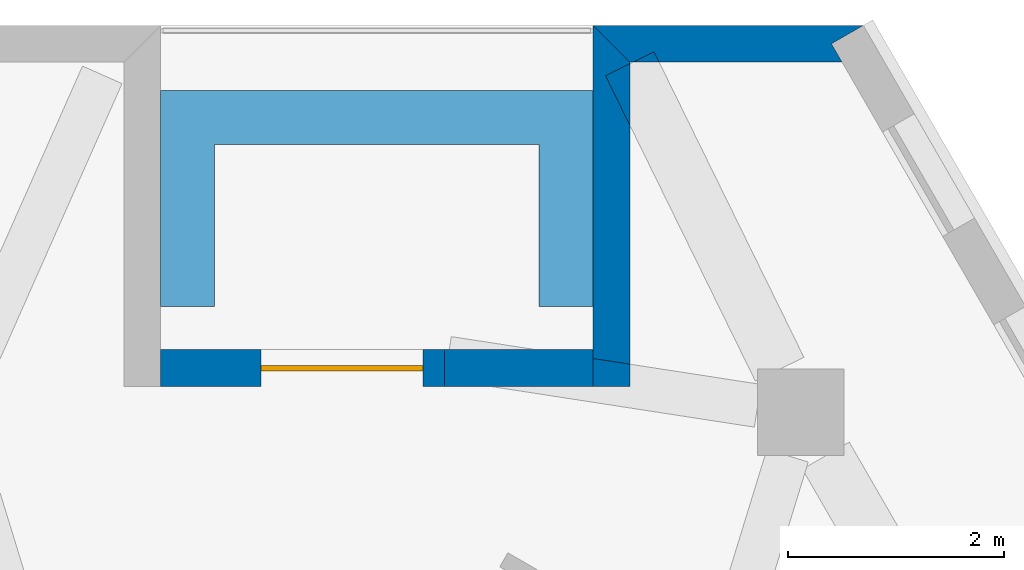
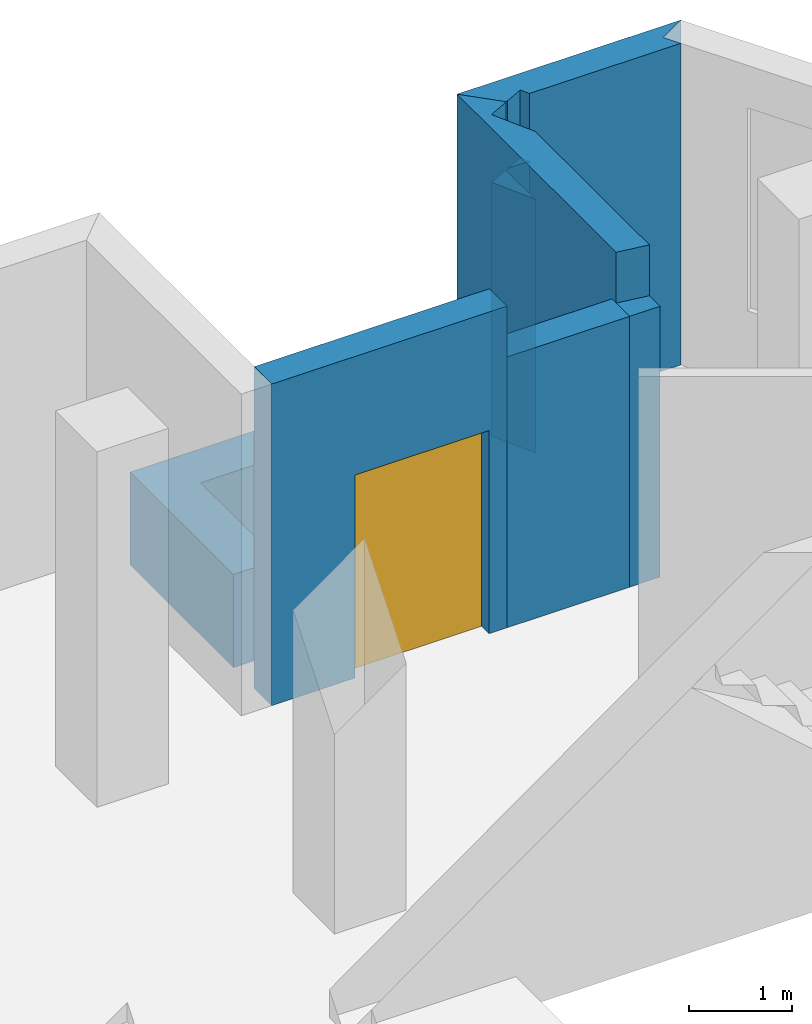
# One storey, part 7 of 9: 8 walls, 1 door, 1 opening.
"""IFC4 building model written with IfcOpenShell, lengths in metres."""

from ifc_helpers import new_model, si_unit, direction, frame, frame_2d, origin, place, context, subcontext, project, spatial, polyline, rectangle, outline, extrude, material, layer, layer_set, type_object, element, fill, save


model = new_model("IFC4")

# Units and contexts
model_context = context("Model", 3, precision=1e-05, world=origin(), true_north=direction((0.0, 1.0)))
body_context = subcontext(model_context, "Body", "Model", "MODEL_VIEW")
ifc_project = project(units=[si_unit("LENGTHUNIT", "METRE"), si_unit("AREAUNIT", "SQUARE_METRE"), si_unit("VOLUMEUNIT", "CUBIC_METRE"), si_unit("PLANEANGLEUNIT", "RADIAN"), si_unit("MASSUNIT", "GRAM", prefix="KILO")], contexts=[model_context])

# Site, building, storey
site_placement = place(None, origin())
site = spatial("IfcSite", under=ifc_project, at=site_placement, CompositionType="ELEMENT")
building_placement = place(site_placement, origin())
building = spatial("IfcBuilding", under=site, at=building_placement, Name="Fogline Exchange Tower", CompositionType="ELEMENT")
storey_placement = place(building_placement, frame((0.0, 0.0, 283.5)))
storey = spatial("IfcBuildingStorey", under=building, at=storey_placement, Name="L64", CompositionType="ELEMENT", Elevation=283.5)

# Walls
ifc_material_1 = material(Name="Brick masonry", Category="masonry")
ifc_layer_1 = layer(ifc_material_1, 0.340087890625)
ifc_layer_set_1 = layer_set([ifc_layer_1], Name="FW1")
wall_type_1 = type_object("IfcWallType", Name="FW1", PredefinedType="SOLIDWALL", material=ifc_layer_set_1)
wall_1_placement = place(storey_placement, origin())
element("IfcWall", 1, at=wall_1_placement, inside=storey, type_object=wall_type_1, Name="Brick wall L64 N-c1", PredefinedType="SOLIDWALL", context=body_context, shape_type="SweptSolid", body=[
    extrude(outline(polyline([(2.368408203125, 43.696044921875), (2.564453125, 43.792236328125), (2.611572265625, 43.696044921875), (2.368408203125, 43.696044921875)])), origin(), (0.0, 0.0, 1.0), 3.0),
])
wall_2_placement = place(storey_placement, origin())
element("IfcWall", 2, at=wall_2_placement, inside=storey, type_object=wall_type_1, Name="Brick wall L64 N-c1", PredefinedType="SOLIDWALL", context=body_context, shape_type="SweptSolid", body=[
    extrude(outline(polyline([(4.5009765625, 44.037353515625), (4.501220703125, 44.03662109375), (4.206298828125, 43.866455078125), (4.3046875, 43.696044921875), (2.611572265625, 43.696044921875), (2.564453125, 43.792236328125), (2.368408203125, 43.696044921875), (2.33984375, 43.696044921875), (1.998779296875, 44.036865234375), (1.9990234375, 44.037353515625), (4.5009765625, 44.037353515625)])), origin(), (0.0, 0.0, 1.0), 3.800048828125),
])
wall_3_placement = place(storey_placement, origin())
element("IfcWall", 3, at=wall_3_placement, inside=storey, type_object=wall_type_1, Name="Brick wall L64 N-s1", PredefinedType="SOLIDWALL", context=body_context, shape_type="SweptSolid", body=[
    extrude(outline(polyline([(2.340576171875, 43.11328125), (2.115478515625, 43.572021484375), (2.340576171875, 43.682373046875), (2.340576171875, 43.11328125)])), origin(), (0.0, 0.0, 1.0), 3.0),
])
wall_4_placement = place(storey_placement, origin())
element("IfcWall", 4, at=wall_4_placement, inside=storey, type_object=wall_type_1, Name="Brick wall L64 N-s1", PredefinedType="SOLIDWALL", context=body_context, shape_type="SweptSolid", body=[
    extrude(outline(polyline([(1.99951171875, 40.955810546875), (2.340576171875, 40.9033203125), (2.340576171875, 40.696044921875), (1.99951171875, 40.696044921875), (1.99951171875, 40.955810546875)])), origin(), (0.0, 0.0, 1.0), 3.199951171875),
])
wall_5_placement = place(storey_placement, origin())
element("IfcWall", 5, at=wall_5_placement, inside=storey, type_object=wall_type_1, Name="Brick wall L64 N-s1", PredefinedType="SOLIDWALL", context=body_context, shape_type="SweptSolid", body=[
    extrude(outline(polyline([(1.99951171875, 44.03759765625), (1.999755859375, 44.037841796875), (2.340576171875, 43.697021484375), (2.340576171875, 43.682373046875), (2.115478515625, 43.572021484375), (2.340576171875, 43.11328125), (2.340576171875, 40.9033203125), (1.99951171875, 40.955810546875), (1.99951171875, 44.03759765625)])), origin(), (0.0, 0.0, 1.0), 3.800048828125),
])
wall_6_placement = place(storey_placement, frame((2.0, 40.86669921875, 0.0), z_axis=(0.0, 0.0, 1.0), x_axis=(-1.0, 0.0, 0.0)))
element("IfcWall", 6, at=wall_6_placement, inside=storey, type_object=wall_type_1, Name="Brick wall L64 N-bk", PredefinedType="SOLIDWALL", context=body_context, shape_type="SweptSolid", body=[
    extrude(rectangle(XDim=1.371826171875, YDim=0.340087890625, at=frame_2d((0.68603515625, 0.0))), origin(), (0.0, 0.0, 1.0), 3.199951171875),
])

# Wall, opening, door
wall_7_placement = place(storey_placement, frame((0.628173828125, 40.86669921875, 0.0), z_axis=(0.0, 0.0, 1.0), x_axis=(-1.0, 0.0, 0.0)))
wall_7 = element("IfcWall", 7, at=wall_7_placement, inside=storey, type_object=wall_type_1, Name="Brick wall L64 N-bk", PredefinedType="SOLIDWALL", context=body_context, shape_type="SweptSolid", body=[
    extrude(rectangle(XDim=2.628173828125, YDim=0.340087890625, at=frame_2d((1.31396484375, 0.0))), origin(), (0.0, 0.0, 1.0), 3.800048828125),
])
opening_placement = place(wall_7_placement, frame((0.199951171875, 0.0, 0.0)))
opening = element("IfcOpeningElement", 8, at=opening_placement, cuts=wall_7, Name="Opening T20-E141", PredefinedType="OPENING", context=body_context, shape_type="SweptSolid", body=[
    extrude(rectangle(XDim=1.5, YDim=2.39990234375, at=frame_2d((0.75, 1.199951171875))), frame((0.0, 0.18017578125, 0.0), z_axis=(0.0, -1.0, 0.0), x_axis=(1.0, 0.0, 0.0)), (0.0, 0.0, 1.0), 0.360107421875),
])
ifc_material_2 = material(Name="Aluminium and glass", Category="aluminium")
door_type = type_object("IfcDoorType", Name="ED4", OperationType="SINGLE_SWING_LEFT", PredefinedType="DOOR", material=ifc_material_2)
door_placement = place(opening_placement, frame((1.5, 0.0, 0.0), z_axis=(0.0, 0.0, 1.0), x_axis=(-1.0, 0.0, 0.0)))
door = element("IfcDoor", 9, at=door_placement, inside=storey, type_object=door_type, Name="Balcony door L64 N", OperationType="DOUBLE_DOOR_SINGLE_SWING", OverallHeight=2.39990234375, OverallWidth=1.5, PredefinedType="DOOR", context=body_context, shape_type="SweptSolid", body=[
    extrude(rectangle(XDim=1.5, YDim=2.39990234375, at=frame_2d((0.75, 1.199951171875))), frame((0.0, 0.02490234375, 0.0), z_axis=(0.0, -1.0, 0.0), x_axis=(1.0, 0.0, 0.0)), (0.0, 0.0, 1.0), 0.050048828125),
])
fill(opening, door)

# Wall
ifc_material_3 = material(Name="Concrete C30", Category="concrete")
ifc_layer_2 = layer(ifc_material_3, 0.199951171875)
ifc_layer_set_2 = layer_set([ifc_layer_2], Name="PL1")
wall_type_2 = type_object("IfcWallType", Name="PL1", PredefinedType="USERDEFINED", material=ifc_layer_set_2)
wall_8_placement = place(storey_placement, origin())
element("IfcWall", 10, at=wall_8_placement, inside=storey, type_object=wall_type_2, Name="PLANTER balcony L64 N", ObjectType="PLANTER", PredefinedType="USERDEFINED", context=body_context, shape_type="SweptSolid", body=[
    extrude(outline(polyline([(-1.5, 43.436767578125), (-2.0, 43.436767578125), (-2.0, 42.936767578125), (-2.0, 41.436767578125), (-1.5, 41.436767578125), (-1.5, 42.936767578125), (1.5, 42.936767578125), (1.5, 41.436767578125), (2.0, 41.436767578125), (2.0, 42.936767578125), (2.0, 43.436767578125), (1.5, 43.436767578125), (-1.5, 43.436767578125)])), origin(), (0.0, 0.0, 1.0), 1.10009765625),
])

save(model, "model.ifc")
